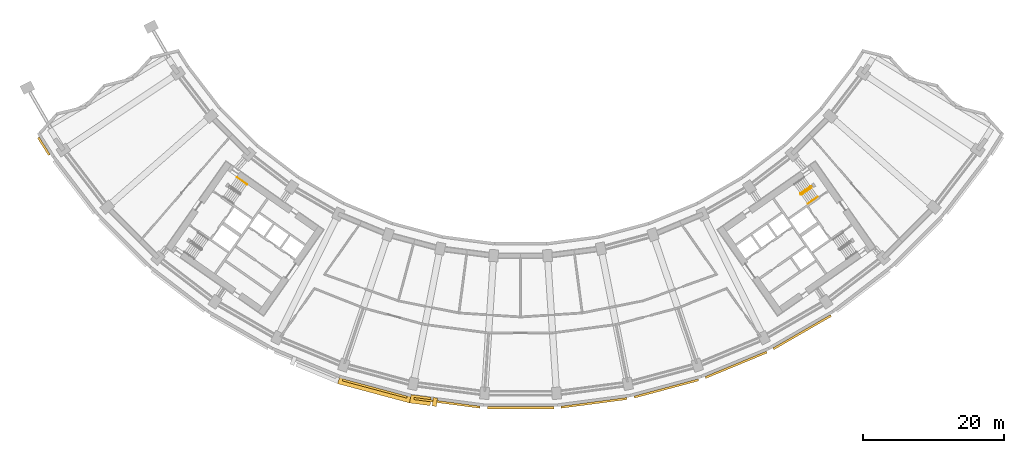
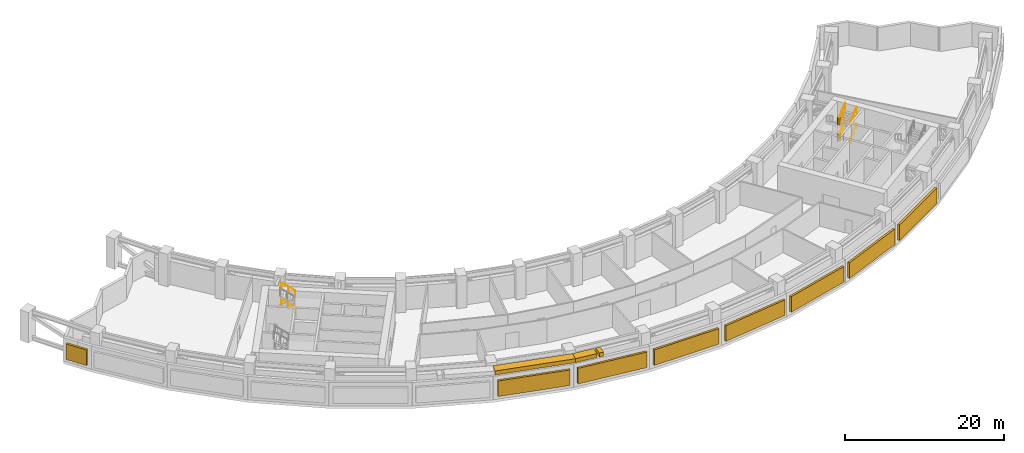
# One storey, part 23 of 25: 11 shading devices, 8 railings.
"""IFC4 building model written with IfcOpenShell, lengths in metres."""

from ifc_helpers import new_model, si_unit, direction, frame, origin, origin_2d, place, context, subcontext, project, spatial, polyline, rectangle, circle, outline, extrude, material, type_object, element, save


model = new_model("IFC4")

# Units and contexts
model_context = context("Model", 3, precision=1e-05, world=origin(), true_north=direction((0.0, 1.0)))
body_context = subcontext(model_context, "Body", "Model", "MODEL_VIEW")
ifc_project = project(units=[si_unit("LENGTHUNIT", "METRE"), si_unit("AREAUNIT", "SQUARE_METRE"), si_unit("VOLUMEUNIT", "CUBIC_METRE"), si_unit("PLANEANGLEUNIT", "RADIAN"), si_unit("MASSUNIT", "GRAM", prefix="KILO")], contexts=[model_context])

# Site, building, storey
site_placement = place(None, origin())
site = spatial("IfcSite", under=ifc_project, at=site_placement, CompositionType="ELEMENT")
building_placement = place(site_placement, origin())
building = spatial("IfcBuilding", under=site, at=building_placement, Name="Qamariyya Broadcast Tower", CompositionType="ELEMENT")
storey_placement = place(building_placement, frame((0.0, 0.0, 89.89990234375)))
storey = spatial("IfcBuildingStorey", under=building, at=storey_placement, Name="L19", CompositionType="ELEMENT", Elevation=89.89990234375)

# Shading devices
ifc_material_1 = material(Name="Steel S355 powder coated deep red", Category="steel")
shading_device_type_1 = type_object("IfcShadingDeviceType", Name="Deep red frame, powder coated steel box section", PredefinedType="USERDEFINED", material=ifc_material_1)
shading_device_1_placement = place(storey_placement, frame((0.0, 0.0, 4.400146484375)))
element("IfcShadingDevice", 1, at=shading_device_1_placement, inside=storey, type_object=shading_device_type_1, Name="e-frm-B2-F1-postb-L19", ObjectType="FRAME", PredefinedType="USERDEFINED", context=body_context, shape_type="SweptSolid", body=[
    extrude(outline(polyline([(-12.340087890625, -78.1884765625), (-12.49658203125, -79.378173828125), (-11.90185546875, -79.45654296875), (-11.7451171875, -78.266845703125), (-12.340087890625, -78.1884765625)])), origin(), (0.0, 0.0, 1.0), 0.599853515625),
])
shading_device_2_placement = place(storey_placement, frame((0.0, 0.0, 4.400146484375)))
element("IfcShadingDevice", 2, at=shading_device_2_placement, inside=storey, type_object=shading_device_type_1, Name="e-frm-B2-F1-bot1", ObjectType="FRAME", PredefinedType="USERDEFINED", context=body_context, shape_type="SweptSolid", body=[
    extrude(outline(polyline([(-25.490234375, -75.091552734375), (-25.876708984375, -76.230224609375), (-15.705322265625, -78.955810546875), (-15.470703125, -77.7763671875), (-25.490234375, -75.091552734375)])), origin(), (0.0, 0.0, 1.0), 0.599853515625),
])
shading_device_3_placement = place(storey_placement, frame((0.0, 0.0, 4.400146484375)))
element("IfcShadingDevice", 3, at=shading_device_3_placement, inside=storey, type_object=shading_device_type_1, Name="e-frm-B2-F1-bot2", ObjectType="FRAME", PredefinedType="USERDEFINED", context=body_context, shape_type="SweptSolid", body=[
    extrude(outline(polyline([(-15.470703125, -77.7763671875), (-15.705322265625, -78.955810546875), (-12.794189453125, -79.339111328125), (-12.637451171875, -78.149169921875), (-15.470703125, -77.7763671875)])), origin(), (0.0, 0.0, 1.0), 0.599853515625),
])

# Railings
ifc_material_2 = material(Name="Painted steel", Category="steel")
railing_type_1 = type_object("IfcRailingType", Name="Stair guard", PredefinedType="GUARDRAIL", material=ifc_material_2)
railing_1_placement = place(storey_placement, frame((41.003173828125, -48.320068359375, 0.1787109375)))
element("IfcRailing", 4, at=railing_1_placement, inside=storey, type_object=railing_type_1, Name="L19 ST-E2 stair guard 1", PredefinedType="GUARDRAIL", context=body_context, shape_type="SweptSolid", body=[
    extrude(circle(Radius=0.02392578125, at=origin_2d()), frame((0.0, 0.0, 1.076171875), z_axis=(-0.697532699334, -0.488440163562, 0.524284598266), x_axis=(0.573594173421, -0.819139624372, 0.0)), (0.0, 0.0, 1.0), 2.04345703125),
    extrude(circle(Radius=0.02392578125, at=origin_2d()), frame((-1.42529296875, -0.998046875, 2.1474609375), z_axis=(-0.172799478008, -0.984957024646, 0.0), x_axis=(0.984957024646, -0.172799478008, 0.0)), (0.0, 0.0, 1.0), 0.070556640625),
    extrude(circle(Radius=0.02392578125, at=origin_2d()), frame((-1.4375, -1.067626953125, 2.1474609375), z_axis=(0.573353020881, -0.819308436089, 0.0), x_axis=(0.819308436089, 0.573353020881, 0.0)), (0.0, 0.0, 1.0), 0.14990234375),
    extrude(circle(Radius=0.02099609375, at=origin_2d()), origin(), (0.0, 0.0, 1.0), 1.052001953125),
    extrude(circle(Radius=0.02099609375, at=origin_2d()), frame((-0.712646484375, -0.4990234375, 0.53564453125)), (0.0, 0.0, 1.0), 1.052001953125),
    extrude(circle(Radius=0.02099609375, at=origin_2d()), frame((-1.42529296875, -0.998046875, 1.0712890625)), (0.0, 0.0, 1.0), 1.052001953125),
    extrude(circle(Radius=0.02099609375, at=origin_2d()), frame((-1.4375, -1.067626953125, 1.0712890625)), (0.0, 0.0, 1.0), 1.052001953125),
    extrude(circle(Radius=0.02099609375, at=origin_2d()), frame((-1.3515625, -1.1904296875, 1.0712890625)), (0.0, 0.0, 1.0), 1.052001953125),
])
railing_2_placement = place(storey_placement, frame((39.721435546875, -49.52294921875, 1.4287109375)))
element("IfcRailing", 5, at=railing_2_placement, inside=storey, type_object=railing_type_1, Name="L19 ST-E2 stair guard 2", PredefinedType="GUARDRAIL", context=body_context, shape_type="SweptSolid", body=[
    extrude(circle(Radius=0.02392578125, at=origin_2d()), frame((0.0, 0.0, 1.076171875), z_axis=(0.697532699334, 0.488440163562, 0.524284598266), x_axis=(-0.573594173421, 0.819139624372, 0.0)), (0.0, 0.0, 1.0), 2.04345703125),
    extrude(circle(Radius=0.02392578125, at=origin_2d()), frame((1.42529296875, 0.998046875, 2.1474609375), z_axis=(-0.35747155403, 0.93392402692, 0.0), x_axis=(-0.93392402692, -0.35747155403, 0.0)), (0.0, 0.0, 1.0), 0.206298828125),
    extrude(circle(Radius=0.02392578125, at=origin_2d()), frame((1.3515625, 1.190673828125, 2.1474609375), z_axis=(0.572588637393, -0.819842821722, 0.0), x_axis=(0.819842821722, 0.572588637393, 0.0)), (0.0, 0.0, 1.0), 0.150146484375),
    extrude(circle(Radius=0.02099609375, at=origin_2d()), origin(), (0.0, 0.0, 1.0), 1.052001953125),
    extrude(circle(Radius=0.02099609375, at=origin_2d()), frame((0.712646484375, 0.4990234375, 0.53564453125)), (0.0, 0.0, 1.0), 1.052001953125),
    extrude(circle(Radius=0.02099609375, at=origin_2d()), frame((1.42529296875, 0.998046875, 1.0712890625)), (0.0, 0.0, 1.0), 1.052001953125),
    extrude(circle(Radius=0.02099609375, at=origin_2d()), frame((1.3515625, 1.190673828125, 1.0712890625)), (0.0, 0.0, 1.0), 1.052001953125),
    extrude(circle(Radius=0.02099609375, at=origin_2d()), frame((1.4375, 1.067626953125, 1.0712890625)), (0.0, 0.0, 1.0), 1.052001953125),
])
railing_3_placement = place(storey_placement, frame((41.003173828125, -48.320068359375, 2.6787109375)))
element("IfcRailing", 6, at=railing_3_placement, inside=storey, type_object=railing_type_1, Name="L19 ST-E2 stair guard 3", PredefinedType="GUARDRAIL", context=body_context, shape_type="SweptSolid", body=[
    extrude(circle(Radius=0.02392578125, at=origin_2d()), frame((0.0, 0.0, 1.076171875), z_axis=(-0.697532699334, -0.488440163562, 0.524284598266), x_axis=(0.573594173421, -0.819139624372, 0.0)), (0.0, 0.0, 1.0), 2.04345703125),
    extrude(circle(Radius=0.02392578125, at=origin_2d()), frame((-1.42529296875, -0.998046875, 2.1474609375), z_axis=(-0.172799478008, -0.984957024646, 0.0), x_axis=(0.984957024646, -0.172799478008, 0.0)), (0.0, 0.0, 1.0), 0.070556640625),
    extrude(circle(Radius=0.02392578125, at=origin_2d()), frame((-1.4375, -1.067626953125, 2.1474609375), z_axis=(0.573353020881, -0.819308436089, 0.0), x_axis=(0.819308436089, 0.573353020881, 0.0)), (0.0, 0.0, 1.0), 0.14990234375),
    extrude(circle(Radius=0.02099609375, at=origin_2d()), origin(), (0.0, 0.0, 1.0), 1.052001953125),
    extrude(circle(Radius=0.02099609375, at=origin_2d()), frame((-0.712646484375, -0.4990234375, 0.53564453125)), (0.0, 0.0, 1.0), 1.052001953125),
    extrude(circle(Radius=0.02099609375, at=origin_2d()), frame((-1.42529296875, -0.998046875, 1.0712890625)), (0.0, 0.0, 1.0), 1.052001953125),
    extrude(circle(Radius=0.02099609375, at=origin_2d()), frame((-1.4375, -1.067626953125, 1.0712890625)), (0.0, 0.0, 1.0), 1.052001953125),
    extrude(circle(Radius=0.02099609375, at=origin_2d()), frame((-1.3515625, -1.1904296875, 1.0712890625)), (0.0, 0.0, 1.0), 1.052001953125),
])
railing_4_placement = place(storey_placement, frame((39.721435546875, -49.52294921875, 3.9287109375)))
element("IfcRailing", 7, at=railing_4_placement, inside=storey, type_object=railing_type_1, Name="L19 ST-E2 stair guard 4", PredefinedType="GUARDRAIL", context=body_context, shape_type="SweptSolid", body=[
    extrude(circle(Radius=0.02392578125, at=origin_2d()), frame((0.0, 0.0, 1.076171875), z_axis=(0.697532699334, 0.488440163562, 0.524284598266), x_axis=(-0.573594173421, 0.819139624372, 0.0)), (0.0, 0.0, 1.0), 2.04345703125),
    extrude(circle(Radius=0.02099609375, at=origin_2d()), origin(), (0.0, 0.0, 1.0), 1.052001953125),
    extrude(circle(Radius=0.02099609375, at=origin_2d()), frame((0.712646484375, 0.4990234375, 0.53564453125)), (0.0, 0.0, 1.0), 1.052001953125),
    extrude(circle(Radius=0.02099609375, at=origin_2d()), frame((1.42529296875, 0.998046875, 1.0712890625)), (0.0, 0.0, 1.0), 1.052001953125),
])
ifc_material_3 = material(Name="Stainless steel", Category="steel")
railing_type_2 = type_object("IfcRailingType", Name="Stair handrail", PredefinedType="HANDRAIL", material=ifc_material_3)
for number, where, name in (
    (8, (-38.68896484375, -48.04833984375, 1.4287109375), "L19 ST-W2 stair handrail 2"),
    (9, (-38.68896484375, -48.04833984375, 3.9287109375), "L19 ST-W2 stair handrail 4"),
):
    element("IfcRailing", number, at=place(storey_placement, frame(where)), inside=storey, type_object=railing_type_2, Name=name, PredefinedType="HANDRAIL", context=body_context, shape_type="SweptSolid", body=[
        extrude(circle(Radius=0.02392578125, at=origin_2d()), frame((0.0, 0.0, 0.8759765625), z_axis=(-0.697532699334, 0.488440163562, 0.524284598266), x_axis=(-0.573594173421, -0.819139624372, 0.0)), (0.0, 0.0, 1.0), 2.04345703125),
        extrude(circle(Radius=0.02099609375, at=origin_2d()), origin(), (0.0, 0.0, 1.0), 0.851806640625),
        extrude(circle(Radius=0.02099609375, at=origin_2d()), frame((-0.712646484375, 0.4990234375, 0.53564453125)), (0.0, 0.0, 1.0), 0.851806640625),
        extrude(circle(Radius=0.02099609375, at=origin_2d()), frame((-1.42529296875, 0.998046875, 1.0712890625)), (0.0, 0.0, 1.0), 0.851806640625),
    ])
for number, where, name in (
    (10, (40.6103515625, -50.79248046875, 1.4287109375), "L19 ST-E2 stair handrail 2"),
    (11, (40.6103515625, -50.79248046875, 3.9287109375), "L19 ST-E2 stair handrail 4"),
):
    element("IfcRailing", number, at=place(storey_placement, frame(where)), inside=storey, type_object=railing_type_2, Name=name, PredefinedType="HANDRAIL", context=body_context, shape_type="SweptSolid", body=[
        extrude(circle(Radius=0.02392578125, at=origin_2d()), frame((0.0, 0.0, 0.8759765625), z_axis=(0.697532699334, 0.488440163562, 0.524284598266), x_axis=(-0.573594173421, 0.819139624372, 0.0)), (0.0, 0.0, 1.0), 2.04345703125),
        extrude(circle(Radius=0.02099609375, at=origin_2d()), origin(), (0.0, 0.0, 1.0), 0.851806640625),
        extrude(circle(Radius=0.02099609375, at=origin_2d()), frame((0.712646484375, 0.4990234375, 0.53564453125)), (0.0, 0.0, 1.0), 0.851806640625),
        extrude(circle(Radius=0.02099609375, at=origin_2d()), frame((1.42529296875, 0.998046875, 1.0712890625)), (0.0, 0.0, 1.0), 0.851806640625),
    ])

# Shading devices
ifc_material_4 = material(Name="Glazed terracotta", Category="masonry")
shading_device_type_2 = type_object("IfcShadingDeviceType", Name="Terracotta louvre bank", PredefinedType="USERDEFINED", material=ifc_material_4)
shading_device_4_placement = place(storey_placement, frame((-67.409912109375, -42.66162109375, 0.60009765625), z_axis=(0.0, 0.0, 1.0), x_axis=(0.534772432038, -0.844996121845, 0.0)))
element("IfcShadingDevice", 12, at=shading_device_4_placement, inside=storey, type_object=shading_device_type_2, Name="e-lv-L19-00", ObjectType="LOUVRE", PredefinedType="USERDEFINED", context=body_context, shape_type="SweptSolid", body=[
    extrude(rectangle(XDim=2.951904296875, YDim=0.300048828125, at=origin_2d()), origin(), (0.0, 0.0, 1.0), 2.39990234375),
])
for number, where, z_axis, x_axis, name in (
    (13, (-20.609619140625, -76.916259765625, 0.60009765625), (0.0, 0.0, 1.0), (0.965925826289, -0.258819045103, 0.0), "e-lv-L19-06"),
    (14, (-10.393798828125, -78.9482421875, 0.60009765625), (0.0, 0.0, 1.0), (0.991444861374, -0.13052619222, 0.0), "e-lv-L19-07"),
    (15, (0.0, -79.62939453125, 0.60009765625), (0.0, 0.0, 1.0), (1.0, 0.0, 0.0), "e-lv-L19-08"),
    (16, (10.393798828125, -78.9482421875, 0.60009765625), (0.0, 0.0, 1.0), (0.991444861374, 0.13052619222, 0.0), "e-lv-L19-09"),
    (17, (20.609619140625, -76.916259765625, 0.60009765625), (0.0, 0.0, 1.0), (0.965925826289, 0.258819045103, 0.0), "e-lv-L19-10"),
    (18, (30.472900390625, -73.568115234375, 0.60009765625), (0.0, 0.0, 1.0), (0.923879532511, 0.382683432365, 0.0), "e-lv-L19-11"),
    (19, (39.814697265625, -68.961181640625, 0.60009765625), (0.0, 0.0, 1.0), (0.866025403784, 0.5, 0.0), "e-lv-L19-12"),
):
    element("IfcShadingDevice", number, at=place(storey_placement, frame(where, z_axis=z_axis, x_axis=x_axis)), inside=storey, type_object=shading_device_type_2, Name=name, ObjectType="LOUVRE", PredefinedType="USERDEFINED", context=body_context, shape_type="SweptSolid", body=[
        extrude(rectangle(XDim=9.418701171875, YDim=0.300048828125, at=origin_2d()), origin(), (0.0, 0.0, 1.0), 2.39990234375),
    ])

save(model, "model.ifc")
